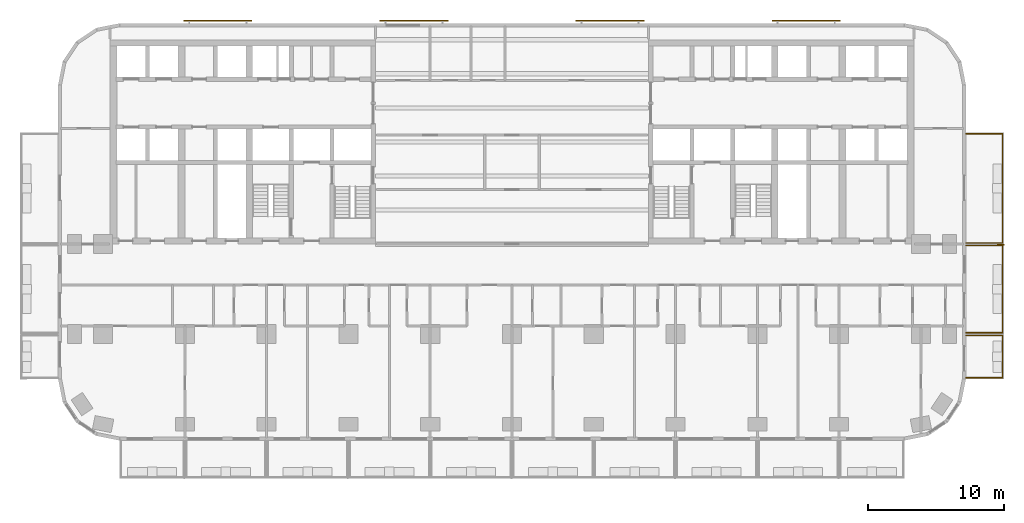
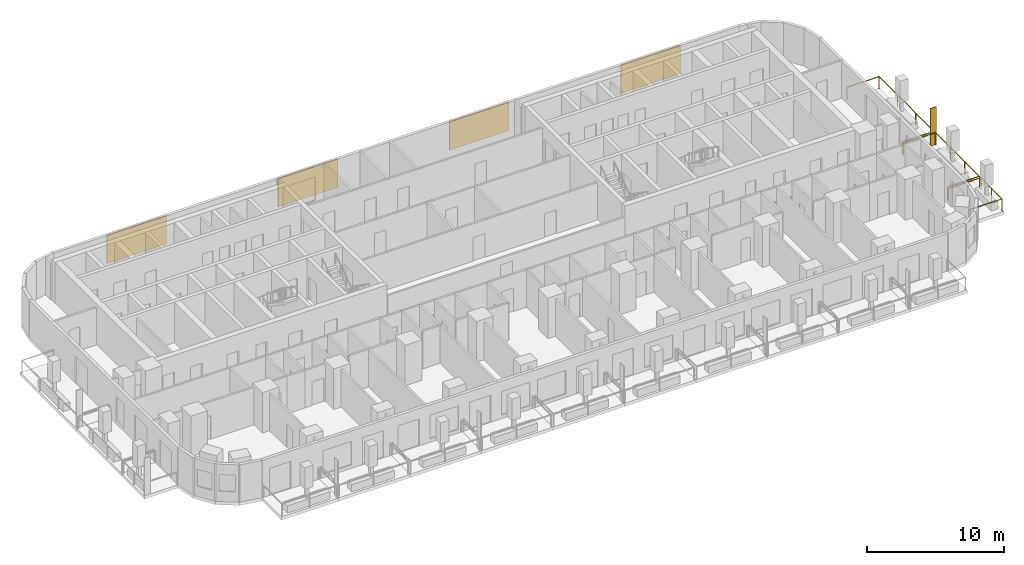
# One storey, part 13 of 14: 5 shading devices, 3 railings.
"""IFC4 building model written with IfcOpenShell, lengths in metres."""

from ifc_helpers import new_model, si_unit, direction, frame, origin, origin_2d, place, context, subcontext, project, spatial, rectangle, circle, extrude, material, layer, layer_set, type_object, element, save


model = new_model("IFC4")

# Units and contexts
model_context = context("Model", 3, precision=1e-05, world=origin(), true_north=direction((0.0, 1.0)))
body_context = subcontext(model_context, "Body", "Model", "MODEL_VIEW")
ifc_project = project(units=[si_unit("LENGTHUNIT", "METRE"), si_unit("AREAUNIT", "SQUARE_METRE"), si_unit("VOLUMEUNIT", "CUBIC_METRE"), si_unit("PLANEANGLEUNIT", "RADIAN"), si_unit("MASSUNIT", "GRAM", prefix="KILO")], contexts=[model_context])

# Site, building, storey
site_placement = place(None, origin())
site = spatial("IfcSite", under=ifc_project, at=site_placement, CompositionType="ELEMENT")
building_placement = place(site_placement, origin())
building = spatial("IfcBuilding", under=site, at=building_placement, Name="Torana Hotel and Residences", CompositionType="ELEMENT")
storey_placement = place(building_placement, frame((0.0, 0.0, 74.39990234375)))
storey = spatial("IfcBuildingStorey", under=building, at=storey_placement, Name="L18", CompositionType="ELEMENT", Elevation=74.39990234375)

# Shading device
ifc_material_1 = material(Name="Black powder coated aluminium", Category="aluminium")
ifc_layer_1 = layer(ifc_material_1, 0.080078125)
ifc_layer_set_1 = layer_set([ifc_layer_1], Name="FN1 VERTICAL FIN 500x80")
shading_device_type_1 = type_object("IfcShadingDeviceType", Name="FN1 VERTICAL FIN 500x80", PredefinedType="USERDEFINED", material=ifc_layer_set_1)
shading_device_placement = place(storey_placement, frame((35.85009765625, -15.0400390625, 0.0), z_axis=(0.0, 0.0, 1.0), x_axis=(0.0, -1.0, 0.0)))
element("IfcShadingDevice", 1, at=shading_device_placement, inside=storey, type_object=shading_device_type_1, Name="Fin 15", ObjectType="FIN", PredefinedType="USERDEFINED", context=body_context, shape_type="SweptSolid", body=[
    extrude(rectangle(XDim=0.080078125, YDim=0.5, at=origin_2d()), origin(), (0.0, 0.0, 1.0), 3.320068359375),
])

# Railings
ifc_material_2 = material(Name="Laminated glass balustrade with black handrail", Category="glass")
railing_type = type_object("IfcRailingType", Name="GR1 BALCONY GUARD 1100 GLASS", PredefinedType="GUARDRAIL", material=ifc_material_2)
railing_1_placement = place(storey_placement, frame((33.300048828125, -21.699951171875, 0.0)))
element("IfcRailing", 2, at=railing_1_placement, inside=storey, type_object=railing_type, Name="Balcony guard 14", PredefinedType="GUARDRAIL", context=body_context, shape_type="SweptSolid", body=[
    extrude(circle(Radius=0.02392578125, at=origin_2d()), frame((0.0, 0.0, 1.076171875), z_axis=(1.0, 0.0, 0.0), x_axis=(0.0, 1.0, 0.0)), (0.0, 0.0, 1.0), 2.699951171875),
    extrude(circle(Radius=0.02392578125, at=origin_2d()), frame((2.699951171875, 0.0, 1.076171875), z_axis=(0.0, -1.0, 0.0), x_axis=(1.0, 0.0, 0.0)), (0.0, 0.0, 1.0), 3.10009765625),
    extrude(circle(Radius=0.02392578125, at=origin_2d()), frame((2.699951171875, -3.10009765625, 1.076171875), z_axis=(-1.0, 0.0, 0.0), x_axis=(0.0, -1.0, 0.0)), (0.0, 0.0, 1.0), 2.699951171875),
    extrude(circle(Radius=0.02099609375, at=origin_2d()), origin(), (0.0, 0.0, 1.0), 1.052001953125),
    extrude(circle(Radius=0.02099609375, at=origin_2d()), frame((2.699951171875, 0.0, 0.0)), (0.0, 0.0, 1.0), 1.052001953125),
    extrude(circle(Radius=0.02099609375, at=origin_2d()), frame((2.699951171875, -1.550048828125, 0.0)), (0.0, 0.0, 1.0), 1.052001953125),
    extrude(circle(Radius=0.02099609375, at=origin_2d()), frame((2.699951171875, -3.10009765625, 0.0)), (0.0, 0.0, 1.0), 1.052001953125),
    extrude(circle(Radius=0.02099609375, at=origin_2d()), frame((0.0, -3.10009765625, 0.0)), (0.0, 0.0, 1.0), 1.052001953125),
])
railing_2_placement = place(storey_placement, frame((33.300048828125, -15.10009765625, 0.0)))
element("IfcRailing", 3, at=railing_2_placement, inside=storey, type_object=railing_type, Name="Balcony guard 15", PredefinedType="GUARDRAIL", context=body_context, shape_type="SweptSolid", body=[
    extrude(circle(Radius=0.02392578125, at=origin_2d()), frame((0.0, 0.0, 1.076171875), z_axis=(1.0, 0.0, 0.0), x_axis=(0.0, 1.0, 0.0)), (0.0, 0.0, 1.0), 2.699951171875),
    extrude(circle(Radius=0.02392578125, at=origin_2d()), frame((2.699951171875, 0.0, 1.076171875), z_axis=(0.0, -1.0, 0.0), x_axis=(1.0, 0.0, 0.0)), (0.0, 0.0, 1.0), 6.39990234375),
    extrude(circle(Radius=0.02392578125, at=origin_2d()), frame((2.699951171875, -6.39990234375, 1.076171875), z_axis=(-1.0, 0.0, 0.0), x_axis=(0.0, -1.0, 0.0)), (0.0, 0.0, 1.0), 2.699951171875),
    extrude(circle(Radius=0.02099609375, at=origin_2d()), origin(), (0.0, 0.0, 1.0), 1.052001953125),
    extrude(circle(Radius=0.02099609375, at=origin_2d()), frame((2.699951171875, 0.0, 0.0)), (0.0, 0.0, 1.0), 1.052001953125),
    extrude(circle(Radius=0.02099609375, at=origin_2d()), frame((2.699951171875, -2.13330078125, 0.0)), (0.0, 0.0, 1.0), 1.052001953125),
    extrude(circle(Radius=0.02099609375, at=origin_2d()), frame((2.699951171875, -4.2666015625, 0.0)), (0.0, 0.0, 1.0), 1.052001953125),
    extrude(circle(Radius=0.02099609375, at=origin_2d()), frame((2.699951171875, -6.39990234375, 0.0)), (0.0, 0.0, 1.0), 1.052001953125),
    extrude(circle(Radius=0.02099609375, at=origin_2d()), frame((0.0, -6.39990234375, 0.0)), (0.0, 0.0, 1.0), 1.052001953125),
])
railing_3_placement = place(storey_placement, frame((33.300048828125, -6.89990234375, 0.0)))
element("IfcRailing", 4, at=railing_3_placement, inside=storey, type_object=railing_type, Name="Balcony guard 16", PredefinedType="GUARDRAIL", context=body_context, shape_type="SweptSolid", body=[
    extrude(circle(Radius=0.02392578125, at=origin_2d()), frame((0.0, 0.0, 1.076171875), z_axis=(1.0, 0.0, 0.0), x_axis=(0.0, 1.0, 0.0)), (0.0, 0.0, 1.0), 2.699951171875),
    extrude(circle(Radius=0.02392578125, at=origin_2d()), frame((2.699951171875, 0.0, 1.076171875), z_axis=(0.0, -1.0, 0.0), x_axis=(1.0, 0.0, 0.0)), (0.0, 0.0, 1.0), 8.0),
    extrude(circle(Radius=0.02392578125, at=origin_2d()), frame((2.699951171875, -8.0, 1.076171875), z_axis=(-1.0, 0.0, 0.0), x_axis=(0.0, -1.0, 0.0)), (0.0, 0.0, 1.0), 2.699951171875),
    extrude(circle(Radius=0.02099609375, at=origin_2d()), origin(), (0.0, 0.0, 1.0), 1.052001953125),
    extrude(circle(Radius=0.02099609375, at=origin_2d()), frame((2.699951171875, 0.0, 0.0)), (0.0, 0.0, 1.0), 1.052001953125),
    extrude(circle(Radius=0.02099609375, at=origin_2d()), frame((2.699951171875, -2.666748046875, 0.0)), (0.0, 0.0, 1.0), 1.052001953125),
    extrude(circle(Radius=0.02099609375, at=origin_2d()), frame((2.699951171875, -5.333251953125, 0.0)), (0.0, 0.0, 1.0), 1.052001953125),
    extrude(circle(Radius=0.02099609375, at=origin_2d()), frame((2.699951171875, -8.0, 0.0)), (0.0, 0.0, 1.0), 1.052001953125),
    extrude(circle(Radius=0.02099609375, at=origin_2d()), frame((0.0, -8.0, 0.0)), (0.0, 0.0, 1.0), 1.052001953125),
])

# Shading devices
ifc_material_3 = material(Name="Concrete C40/50 precast", Category="concrete")
ifc_layer_2 = layer(ifc_material_3, 0.10009765625)
ifc_layer_set_2 = layer_set([ifc_layer_2], Name="SC1 PERFORATED BLOCK SCREEN PANEL 100")
shading_device_type_2 = type_object("IfcShadingDeviceType", Name="SC1 PERFORATED BLOCK SCREEN PANEL 100", PredefinedType="USERDEFINED", material=ifc_layer_set_2)
for number, where, z_axis, x_axis, name in (
    (5, (21.58154296875, 1.39990234375, 0.5), (0.0, 0.0, 1.0), (-1.0, 0.0, 0.0), "Perforated block screen L18"),
    (6, (7.19384765625, 1.39990234375, 0.5), (0.0, 0.0, 1.0), (-1.0, 0.0, 0.0), "Perforated block screen L18"),
    (7, (-7.19384765625, 1.39990234375, 0.5), (0.0, 0.0, 1.0), (-1.0, 0.0, 0.0), "Perforated block screen L18"),
    (8, (-21.58154296875, 1.39990234375, 0.5), (0.0, 0.0, 1.0), (-1.0, 0.0, 0.0), "Perforated block screen L18"),
):
    element("IfcShadingDevice", number, at=place(storey_placement, frame(where, z_axis=z_axis, x_axis=x_axis)), inside=storey, type_object=shading_device_type_2, Name=name, ObjectType="SCREEN", PredefinedType="USERDEFINED", context=body_context, shape_type="SweptSolid", body=[
        extrude(rectangle(XDim=5.0, YDim=0.10009765625, at=origin_2d()), origin(), (0.0, 0.0, 1.0), 2.52001953125),
    ])

save(model, "model.ifc")
